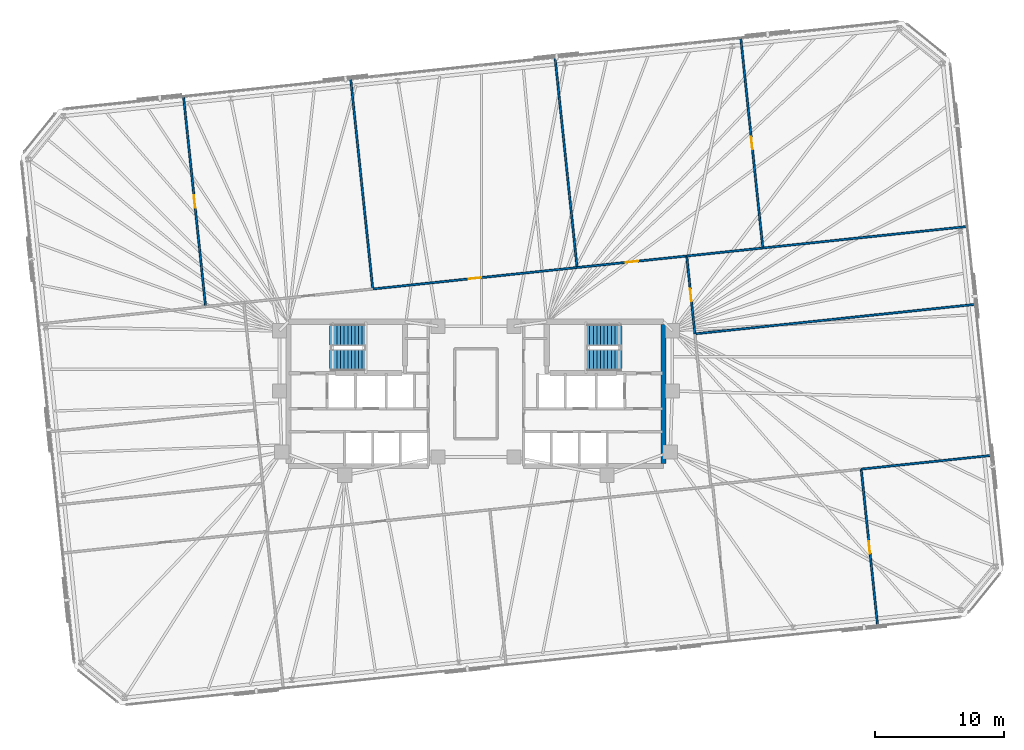
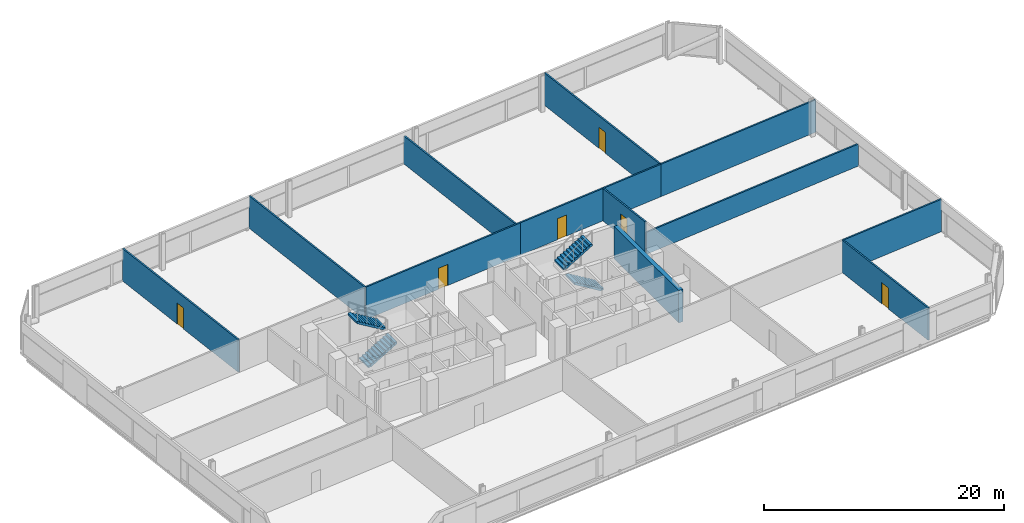
# One storey, part 16 of 18: 13 walls, 6 doors, 4 stair flights, 6 openings, 2 elements without a shape of their own.
"""IFC4 building model written with IfcOpenShell, lengths in metres."""

from ifc_helpers import new_model, si_unit, direction, frame, frame_2d, origin, place, context, subcontext, project, spatial, polyline, rectangle, outline, extrude, material, layer, layer_set, type_object, element, fill, aggregate, save


model = new_model("IFC4")

# Units and contexts
model_context = context("Model", 3, precision=1e-05, world=origin(), true_north=direction((0.0, 1.0)))
body_context = subcontext(model_context, "Body", "Model", "MODEL_VIEW")
ifc_project = project(units=[si_unit("LENGTHUNIT", "METRE"), si_unit("AREAUNIT", "SQUARE_METRE"), si_unit("VOLUMEUNIT", "CUBIC_METRE"), si_unit("PLANEANGLEUNIT", "RADIAN"), si_unit("MASSUNIT", "GRAM", prefix="KILO")], contexts=[model_context])

# Site, building, storey
site_placement = place(None, origin())
site = spatial("IfcSite", under=ifc_project, at=site_placement, CompositionType="ELEMENT")
building_placement = place(site_placement, origin())
building = spatial("IfcBuilding", under=site, at=building_placement, Name="Menara Jurai Vektor", CompositionType="ELEMENT")
storey_placement = place(building_placement, frame((0.0, 0.0, 139.199951171875)))
storey = spatial("IfcBuildingStorey", under=building, at=storey_placement, Name="L35", CompositionType="ELEMENT", Elevation=139.199951171875)

# Wall, opening, door
ifc_material_1 = material(Name="Gypsum Fireboard Partition", Category="gypsum")
ifc_layer_1 = layer(ifc_material_1, 0.14990234375)
ifc_layer_set_1 = layer_set([ifc_layer_1], Name="Gypsum Fireboard Partition")
wall_type_1 = type_object("IfcWallType", Name="INT-WALL-CORR-150", PredefinedType="PARTITIONING", material=ifc_layer_set_1)
wall_1_placement = place(storey_placement, frame((-8.009521484375, 8.142578125, 0.0), z_axis=(0.0, 0.0, 1.0), x_axis=(0.994521795881, 0.104529409818, 0.0)))
wall_1 = element("IfcWall", 1, at=wall_1_placement, inside=storey, type_object=wall_type_1, Name="Interior Wall IW-150 L35", PredefinedType="PARTITIONING", context=body_context, shape_type="SweptSolid", body=[
    extrude(rectangle(XDim=15.949951171875, YDim=0.14990234375, at=frame_2d((7.97509765625, 0.0))), origin(), (0.0, 0.0, 1.0), 3.300048828125),
])
opening_1_placement = place(wall_1_placement, frame((7.5, 0.0, 0.0)))
opening_1 = element("IfcOpeningElement", 2, at=opening_1_placement, cuts=wall_1, Name="Opening D35-08", PredefinedType="OPENING", context=body_context, shape_type="SweptSolid", body=[
    extrude(rectangle(XDim=0.949951171875, YDim=2.14990234375, at=frame_2d((0.47509765625, 1.074951171875))), frame((0.0, 0.0849609375, 0.0), z_axis=(0.0, -1.0, 0.0), x_axis=(1.0, 0.0, 0.0)), (0.0, 0.0, 1.0), 0.169921875),
])
ifc_material_2 = material(Name="Solid Core Timber Fire Door", Category="wood")
door_type = type_object("IfcDoorType", Name="DR-ENTRY-950", OperationType="NOTDEFINED", PredefinedType="DOOR", material=ifc_material_2)
door_1_placement = place(opening_1_placement, origin())
door_1 = element("IfcDoor", 3, at=door_1_placement, inside=storey, type_object=door_type, Name="Interior Door D35-08", OperationType="SINGLE_SWING_LEFT", OverallHeight=2.14990234375, OverallWidth=0.949951171875, PredefinedType="DOOR", context=body_context, shape_type="SweptSolid", body=[
    extrude(rectangle(XDim=0.949951171875, YDim=2.14990234375, at=frame_2d((0.47509765625, 1.074951171875))), frame((0.0, 0.02490234375, 0.0), z_axis=(0.0, -1.0, 0.0), x_axis=(1.0, 0.0, 0.0)), (0.0, 0.0, 1.0), 0.050048828125),
])
fill(opening_1, door_1)

wall_2_placement = place(storey_placement, frame((7.85302734375, 9.809814453125, 0.0), z_axis=(0.0, 0.0, 1.0), x_axis=(0.994524040814, 0.104508048698, 0.0)))
wall_2 = element("IfcWall", 4, at=wall_2_placement, inside=storey, type_object=wall_type_1, Name="Interior Wall IW-150 L35", PredefinedType="PARTITIONING", context=body_context, shape_type="SweptSolid", body=[
    extrude(rectangle(XDim=8.55712890625, YDim=0.14990234375, at=frame_2d((4.278564453125, 0.0))), origin(), (0.0, 0.0, 1.0), 3.300048828125),
])
opening_2_placement = place(wall_2_placement, frame((3.803466796875, 0.0, 0.0)))
opening_2 = element("IfcOpeningElement", 5, at=opening_2_placement, cuts=wall_2, Name="Opening D35-09", PredefinedType="OPENING", context=body_context, shape_type="SweptSolid", body=[
    extrude(rectangle(XDim=0.949951171875, YDim=2.14990234375, at=frame_2d((0.47509765625, 1.074951171875))), frame((0.0, 0.0849609375, 0.0), z_axis=(0.0, -1.0, 0.0), x_axis=(1.0, 0.0, 0.0)), (0.0, 0.0, 1.0), 0.169921875),
])
door_2_placement = place(opening_2_placement, origin())
door_2 = element("IfcDoor", 6, at=door_2_placement, inside=storey, type_object=door_type, Name="Interior Door D35-09", OperationType="SINGLE_SWING_RIGHT", OverallHeight=2.14990234375, OverallWidth=0.949951171875, PredefinedType="DOOR", context=body_context, shape_type="SweptSolid", body=[
    extrude(rectangle(XDim=0.949951171875, YDim=2.14990234375, at=frame_2d((0.47509765625, 1.074951171875))), frame((0.0, 0.02490234375, 0.0), z_axis=(0.0, -1.0, 0.0), x_axis=(1.0, 0.0, 0.0)), (0.0, 0.0, 1.0), 0.050048828125),
])
fill(opening_2, door_2)

wall_3_placement = place(storey_placement, frame((16.998291015625, 4.66162109375, 0.0), z_axis=(0.0, 0.0, 1.0), x_axis=(-0.104515354875, 0.994523273029, 0.0)))
wall_3 = element("IfcWall", 7, at=wall_3_placement, inside=storey, type_object=wall_type_1, Name="Interior Wall IW-150 L35", PredefinedType="PARTITIONING", context=body_context, shape_type="SweptSolid", body=[
    extrude(rectangle(XDim=6.07568359375, YDim=0.14990234375, at=frame_2d((3.037841796875, 0.0))), origin(), (0.0, 0.0, 1.0), 3.300048828125),
])
opening_3_placement = place(wall_3_placement, frame((2.56298828125, 0.0, 0.0)))
opening_3 = element("IfcOpeningElement", 8, at=opening_3_placement, cuts=wall_3, Name="Opening D35-16", PredefinedType="OPENING", context=body_context, shape_type="SweptSolid", body=[
    extrude(rectangle(XDim=0.949951171875, YDim=2.14990234375, at=frame_2d((0.47509765625, 1.074951171875))), frame((0.0, 0.0849609375, 0.0), z_axis=(0.0, -1.0, 0.0), x_axis=(1.0, 0.0, 0.0)), (0.0, 0.0, 1.0), 0.169921875),
])
door_3_placement = place(opening_3_placement, origin())
door_3 = element("IfcDoor", 9, at=door_3_placement, inside=storey, type_object=door_type, Name="Interior Door D35-16", OperationType="SINGLE_SWING_LEFT", OverallHeight=2.14990234375, OverallWidth=0.949951171875, PredefinedType="DOOR", context=body_context, shape_type="SweptSolid", body=[
    extrude(rectangle(XDim=0.949951171875, YDim=2.14990234375, at=frame_2d((0.47509765625, 1.074951171875))), frame((0.0, 0.02490234375, 0.0), z_axis=(0.0, -1.0, 0.0), x_axis=(1.0, 0.0, 0.0)), (0.0, 0.0, 1.0), 0.050048828125),
])
fill(opening_3, door_3)

wall_4_placement = place(storey_placement, frame((-20.988037109375, 6.778564453125, 0.0), z_axis=(0.0, 0.0, 1.0), x_axis=(-0.104521364336, 0.99452264147, 0.0)))
wall_4 = element("IfcWall", 10, at=wall_4_placement, inside=storey, type_object=wall_type_1, Name="Interior Wall IW-150 L35", PredefinedType="PARTITIONING", context=body_context, shape_type="SweptSolid", body=[
    extrude(rectangle(XDim=16.408935546875, YDim=0.14990234375, at=frame_2d((8.20458984375, 0.0))), origin(), (0.0, 0.0, 1.0), 3.300048828125),
])
opening_4_placement = place(wall_4_placement, frame((7.7294921875, 0.0, 0.0)))
opening_4 = element("IfcOpeningElement", 11, at=opening_4_placement, cuts=wall_4, Name="Opening D35-17", PredefinedType="OPENING", context=body_context, shape_type="SweptSolid", body=[
    extrude(rectangle(XDim=0.949951171875, YDim=2.14990234375, at=frame_2d((0.47509765625, 1.074951171875))), frame((0.0, 0.0849609375, 0.0), z_axis=(0.0, -1.0, 0.0), x_axis=(1.0, 0.0, 0.0)), (0.0, 0.0, 1.0), 0.169921875),
])
door_4_placement = place(opening_4_placement, origin())
door_4 = element("IfcDoor", 12, at=door_4_placement, inside=storey, type_object=door_type, Name="Interior Door D35-17", OperationType="SINGLE_SWING_RIGHT", OverallHeight=2.14990234375, OverallWidth=0.949951171875, PredefinedType="DOOR", context=body_context, shape_type="SweptSolid", body=[
    extrude(rectangle(XDim=0.949951171875, YDim=2.14990234375, at=frame_2d((0.47509765625, 1.074951171875))), frame((0.0, 0.02490234375, 0.0), z_axis=(0.0, -1.0, 0.0), x_axis=(1.0, 0.0, 0.0)), (0.0, 0.0, 1.0), 0.050048828125),
])
fill(opening_4, door_4)

# Wall
wall_5_placement = place(storey_placement, frame((-8.009521484375, 8.142578125, 0.0), z_axis=(0.0, 0.0, 1.0), x_axis=(-0.104521364336, 0.99452264147, 0.0)))
element("IfcWall", 13, at=wall_5_placement, inside=storey, type_object=wall_type_1, Name="Interior Wall IW-150 L35", PredefinedType="PARTITIONING", context=body_context, shape_type="SweptSolid", body=[
    extrude(rectangle(XDim=16.408935546875, YDim=0.14990234375, at=frame_2d((8.20458984375, 0.0))), origin(), (0.0, 0.0, 1.0), 3.300048828125),
])

# Wall, opening, door
wall_6_placement = place(storey_placement, frame((22.273681640625, 11.325439453125, 0.0), z_axis=(0.0, 0.0, 1.0), x_axis=(-0.104521364336, 0.99452264147, 0.0)))
wall_6 = element("IfcWall", 14, at=wall_6_placement, inside=storey, type_object=wall_type_1, Name="Interior Wall IW-150 L35", PredefinedType="PARTITIONING", context=body_context, shape_type="SweptSolid", body=[
    extrude(rectangle(XDim=16.408935546875, YDim=0.14990234375, at=frame_2d((8.20458984375, 0.0))), origin(), (0.0, 0.0, 1.0), 3.300048828125),
])
opening_5_placement = place(wall_6_placement, frame((7.7294921875, 0.0, 0.0)))
opening_5 = element("IfcOpeningElement", 15, at=opening_5_placement, cuts=wall_6, Name="Opening D35-18", PredefinedType="OPENING", context=body_context, shape_type="SweptSolid", body=[
    extrude(rectangle(XDim=0.949951171875, YDim=2.14990234375, at=frame_2d((0.47509765625, 1.074951171875))), frame((0.0, 0.0849609375, 0.0), z_axis=(0.0, -1.0, 0.0), x_axis=(1.0, 0.0, 0.0)), (0.0, 0.0, 1.0), 0.169921875),
])
door_5_placement = place(opening_5_placement, origin())
door_5 = element("IfcDoor", 16, at=door_5_placement, inside=storey, type_object=door_type, Name="Interior Door D35-18", OperationType="SINGLE_SWING_LEFT", OverallHeight=2.14990234375, OverallWidth=0.949951171875, PredefinedType="DOOR", context=body_context, shape_type="SweptSolid", body=[
    extrude(rectangle(XDim=0.949951171875, YDim=2.14990234375, at=frame_2d((0.47509765625, 1.074951171875))), frame((0.0, 0.02490234375, 0.0), z_axis=(0.0, -1.0, 0.0), x_axis=(1.0, 0.0, 0.0)), (0.0, 0.0, 1.0), 0.050048828125),
])
fill(opening_5, door_5)

# Walls
wall_7_placement = place(storey_placement, frame((16.36328125, 10.7041015625, 0.0), z_axis=(0.0, 0.0, 1.0), x_axis=(0.994519625036, 0.104550061783, 0.0)))
element("IfcWall", 17, at=wall_7_placement, inside=storey, type_object=wall_type_1, Name="Interior Wall IW-150 L35", PredefinedType="PARTITIONING", context=body_context, shape_type="SweptSolid", body=[
    extrude(rectangle(XDim=5.94287109375, YDim=0.14990234375, at=frame_2d((2.971435546875, 0.0))), origin(), (0.0, 0.0, 1.0), 3.300048828125),
])
wall_8_placement = place(storey_placement, frame((22.273681640625, 11.325439453125, 0.0), z_axis=(0.0, 0.0, 1.0), x_axis=(0.994521795881, 0.104529409818, 0.0)))
element("IfcWall", 18, at=wall_8_placement, inside=storey, type_object=wall_type_1, Name="Interior Wall IW-150 L35", PredefinedType="PARTITIONING", context=body_context, shape_type="SweptSolid", body=[
    extrude(rectangle(XDim=15.949951171875, YDim=0.14990234375, at=frame_2d((7.97509765625, 0.0))), origin(), (0.0, 0.0, 1.0), 3.300048828125),
])

# Wall, opening, door
wall_9_placement = place(storey_placement, frame((31.187255859375, -17.994384765625, 0.0), z_axis=(0.0, 0.0, 1.0), x_axis=(-0.104520477826, 0.99452273464, 0.0)))
wall_9 = element("IfcWall", 19, at=wall_9_placement, inside=storey, type_object=wall_type_1, Name="Interior Wall IW-150 L35", PredefinedType="PARTITIONING", context=body_context, shape_type="SweptSolid", body=[
    extrude(rectangle(XDim=12.220947265625, YDim=0.14990234375, at=frame_2d((6.1103515625, 0.0))), origin(), (0.0, 0.0, 1.0), 3.300048828125),
])
opening_6_placement = place(wall_9_placement, frame((5.635498046875, 0.0, 0.0)))
opening_6 = element("IfcOpeningElement", 20, at=opening_6_placement, cuts=wall_9, Name="Opening D35-21", PredefinedType="OPENING", context=body_context, shape_type="SweptSolid", body=[
    extrude(rectangle(XDim=0.949951171875, YDim=2.14990234375, at=frame_2d((0.47509765625, 1.074951171875))), frame((0.0, 0.0849609375, 0.0), z_axis=(0.0, -1.0, 0.0), x_axis=(1.0, 0.0, 0.0)), (0.0, 0.0, 1.0), 0.169921875),
])
door_6_placement = place(opening_6_placement, origin())
door_6 = element("IfcDoor", 21, at=door_6_placement, inside=storey, type_object=door_type, Name="Interior Door D35-21", OperationType="SINGLE_SWING_RIGHT", OverallHeight=2.14990234375, OverallWidth=0.949951171875, PredefinedType="DOOR", context=body_context, shape_type="SweptSolid", body=[
    extrude(rectangle(XDim=0.949951171875, YDim=2.14990234375, at=frame_2d((0.47509765625, 1.074951171875))), frame((0.0, 0.02490234375, 0.0), z_axis=(0.0, -1.0, 0.0), x_axis=(1.0, 0.0, 0.0)), (0.0, 0.0, 1.0), 0.050048828125),
])
fill(opening_6, door_6)

# Walls
wall_10_placement = place(storey_placement, frame((29.909912109375, -5.84033203125, 0.0), z_axis=(0.0, 0.0, 1.0), x_axis=(0.994521257273, 0.104534534165, 0.0)))
element("IfcWall", 22, at=wall_10_placement, inside=storey, type_object=wall_type_1, Name="Interior Wall IW-150 L35", PredefinedType="PARTITIONING", context=body_context, shape_type="SweptSolid", body=[
    extrude(rectangle(XDim=10.150146484375, YDim=0.14990234375, at=frame_2d((5.0751953125, 0.0))), origin(), (0.0, 0.0, 1.0), 3.300048828125),
])
ifc_layer_2 = layer(ifc_material_1, 0.14990234375)
ifc_layer_set_2 = layer_set([ifc_layer_2], Name="Gypsum Fireboard Partition")
wall_type_2 = type_object("IfcWallType", Name="INT-WALL-CORR-150-H1", PredefinedType="PARTITIONING", material=ifc_layer_set_2)
wall_11_placement = place(storey_placement, frame((7.85302734375, 9.809814453125, 0.0), z_axis=(0.0, 0.0, 1.0), x_axis=(-0.104521364336, 0.99452264147, 0.0)))
element("IfcWall", 23, at=wall_11_placement, inside=storey, type_object=wall_type_2, Name="Interior Wall IW-150 L35", PredefinedType="PARTITIONING", context=body_context, shape_type="SweptSolid", body=[
    extrude(rectangle(XDim=16.408935546875, YDim=0.14990234375, at=frame_2d((8.20458984375, 0.0))), origin(), (0.0, 0.0, 1.0), 2.85009765625),
])
ifc_layer_3 = layer(ifc_material_1, 0.14990234375)
ifc_layer_set_3 = layer_set([ifc_layer_3], Name="Gypsum Fireboard Partition")
wall_type_3 = type_object("IfcWallType", Name="INT-WALL-CORR-150-H4", PredefinedType="PARTITIONING", material=ifc_layer_set_3)
wall_12_placement = place(storey_placement, frame((16.998291015625, 4.66162109375, 0.0), z_axis=(0.0, 0.0, 1.0), x_axis=(0.994522487751, 0.10452282697, 0.0)))
element("IfcWall", 24, at=wall_12_placement, inside=storey, type_object=wall_type_3, Name="Interior Wall IW-150 L35", PredefinedType="PARTITIONING", context=body_context, shape_type="SweptSolid", body=[
    extrude(rectangle(XDim=21.89306640625, YDim=0.14990234375, at=frame_2d((10.946533203125, 0.0))), origin(), (0.0, 0.0, 1.0), 2.239990234375),
])
ifc_material_3 = material(Name="Concrete C50/60", Category="concrete")
ifc_layer_4 = layer(ifc_material_3, 0.39990234375)
ifc_layer_set_4 = layer_set([ifc_layer_4], Name="Concrete C50/60")
wall_type_4 = type_object("IfcWallType", Name="STR-WALL-CORE400", PredefinedType="SHEAR", material=ifc_layer_set_4)
wall_13_placement = place(storey_placement, frame((14.56005859375, -5.39990234375, 0.0), z_axis=(0.0, 0.0, 1.0), x_axis=(0.0, 1.0, 0.0)))
element("IfcWall", 25, at=wall_13_placement, inside=storey, type_object=wall_type_4, Name="Core Shear Wall CW-E-E L35", PredefinedType="SHEAR", context=body_context, shape_type="SweptSolid", body=[
    extrude(rectangle(XDim=10.7998046875, YDim=0.39990234375, at=frame_2d((5.39990234375, 0.0))), origin(), (0.0, 0.0, 1.0), 3.300048828125),
])

# Stair, stair flights
ifc_material_4 = material(Name="Concrete C40/50", Category="concrete")
stair_type = type_object("IfcStairType", Name="STAIR-DOGLEG-1500", PredefinedType="HALF_TURN_STAIR", material=ifc_material_4)
stair_1_placement = place(storey_placement, origin())
stair_1 = element("IfcStair", 26, at=stair_1_placement, inside=storey, type_object=stair_type, Name="Protected Exit Stair ST1 L35", PredefinedType="HALF_TURN_STAIR")
stair_flight_type = type_object("IfcStairFlightType", Name="STAIR-FLIGHT-1500", PredefinedType="STRAIGHT", material=ifc_material_4)
stair_flight_1_placement = place(storey_placement, frame((-11.35009765625, 2.64990234375, 0.0), z_axis=(0.0, 0.0, 1.0), x_axis=(1.0, 0.0, 0.0)))
stair_flight_1 = element("IfcStairFlight", 27, at=stair_flight_1_placement, type_object=stair_flight_type, Name="ST1 flight 1", NumberOfRisers=11, NumberOfTreads=10, PredefinedType="STRAIGHT", RiserHeight=0.168182, TreadLength=0.28, context=body_context, shape_type="SweptSolid", body=[
    extrude(outline(polyline([(0.0, 0.0), (0.0, 0.168212890625), (0.280029296875, 0.168212890625), (0.280029296875, 0.33642578125), (0.56005859375, 0.33642578125), (0.56005859375, 0.504638671875), (0.840087890625, 0.504638671875), (0.840087890625, 0.672607421875), (1.1201171875, 0.672607421875), (1.1201171875, 0.8408203125), (1.39990234375, 0.8408203125), (1.39990234375, 1.009033203125), (1.679931640625, 1.009033203125), (1.679931640625, 1.17724609375), (1.9599609375, 1.17724609375), (1.9599609375, 1.345458984375), (2.239990234375, 1.345458984375), (2.239990234375, 1.513671875), (2.52001953125, 1.513671875), (2.52001953125, 1.681884765625), (2.800048828125, 1.681884765625), (2.800048828125, 1.85009765625), (2.800048828125, 1.495361328125), (0.310546875, 0.0), (0.0, 0.0)])), frame((0.0, 0.75, 0.0), z_axis=(0.0, -1.0, 0.0), x_axis=(1.0, 0.0, 0.0)), (0.0, 0.0, 1.0), 1.5),
])
stair_flight_2_placement = place(storey_placement, frame((-8.550048828125, 4.550048828125, 1.85009765625), z_axis=(0.0, 0.0, 1.0), x_axis=(-1.0, 0.0, 0.0)))
stair_flight_2 = element("IfcStairFlight", 28, at=stair_flight_2_placement, type_object=stair_flight_type, Name="ST1 flight 2", NumberOfRisers=11, NumberOfTreads=10, PredefinedType="STRAIGHT", RiserHeight=0.168182, TreadLength=0.28, context=body_context, shape_type="SweptSolid", body=[
    extrude(outline(polyline([(0.0, 0.0), (0.0, 0.168212890625), (0.280029296875, 0.168212890625), (0.280029296875, 0.33642578125), (0.56005859375, 0.33642578125), (0.56005859375, 0.504638671875), (0.840087890625, 0.504638671875), (0.840087890625, 0.672607421875), (1.1201171875, 0.672607421875), (1.1201171875, 0.8408203125), (1.39990234375, 0.8408203125), (1.39990234375, 1.009033203125), (1.679931640625, 1.009033203125), (1.679931640625, 1.17724609375), (1.9599609375, 1.17724609375), (1.9599609375, 1.345458984375), (2.239990234375, 1.345458984375), (2.239990234375, 1.513671875), (2.52001953125, 1.513671875), (2.52001953125, 1.681884765625), (2.800048828125, 1.681884765625), (2.800048828125, 1.85009765625), (2.800048828125, 1.495361328125), (0.310546875, 0.0), (0.0, 0.0)])), frame((0.0, 0.75, 0.0), z_axis=(0.0, -1.0, 0.0), x_axis=(1.0, 0.0, 0.0)), (0.0, 0.0, 1.0), 1.5),
])
aggregate(stair_1, [stair_flight_1, stair_flight_2])

stair_2_placement = place(storey_placement, origin())
stair_2 = element("IfcStair", 29, at=stair_2_placement, inside=storey, type_object=stair_type, Name="Protected Exit Stair ST2 L35", PredefinedType="HALF_TURN_STAIR")
stair_flight_3_placement = place(storey_placement, frame((11.35009765625, 2.64990234375, 0.0), z_axis=(0.0, 0.0, 1.0), x_axis=(-1.0, 0.0, 0.0)))
stair_flight_3 = element("IfcStairFlight", 30, at=stair_flight_3_placement, type_object=stair_flight_type, Name="ST2 flight 1", NumberOfRisers=11, NumberOfTreads=10, PredefinedType="STRAIGHT", RiserHeight=0.168182, TreadLength=0.28, context=body_context, shape_type="SweptSolid", body=[
    extrude(outline(polyline([(0.0, 0.0), (0.0, 0.168212890625), (0.280029296875, 0.168212890625), (0.280029296875, 0.33642578125), (0.56005859375, 0.33642578125), (0.56005859375, 0.504638671875), (0.840087890625, 0.504638671875), (0.840087890625, 0.672607421875), (1.1201171875, 0.672607421875), (1.1201171875, 0.8408203125), (1.39990234375, 0.8408203125), (1.39990234375, 1.009033203125), (1.679931640625, 1.009033203125), (1.679931640625, 1.17724609375), (1.9599609375, 1.17724609375), (1.9599609375, 1.345458984375), (2.239990234375, 1.345458984375), (2.239990234375, 1.513671875), (2.52001953125, 1.513671875), (2.52001953125, 1.681884765625), (2.800048828125, 1.681884765625), (2.800048828125, 1.85009765625), (2.800048828125, 1.495361328125), (0.310546875, 0.0), (0.0, 0.0)])), frame((0.0, 0.75, 0.0), z_axis=(0.0, -1.0, 0.0), x_axis=(1.0, 0.0, 0.0)), (0.0, 0.0, 1.0), 1.5),
])
stair_flight_4_placement = place(storey_placement, frame((8.550048828125, 4.550048828125, 1.85009765625), z_axis=(0.0, 0.0, 1.0), x_axis=(1.0, 0.0, 0.0)))
stair_flight_4 = element("IfcStairFlight", 31, at=stair_flight_4_placement, type_object=stair_flight_type, Name="ST2 flight 2", NumberOfRisers=11, NumberOfTreads=10, PredefinedType="STRAIGHT", RiserHeight=0.168182, TreadLength=0.28, context=body_context, shape_type="SweptSolid", body=[
    extrude(outline(polyline([(0.0, 0.0), (0.0, 0.168212890625), (0.280029296875, 0.168212890625), (0.280029296875, 0.33642578125), (0.56005859375, 0.33642578125), (0.56005859375, 0.504638671875), (0.840087890625, 0.504638671875), (0.840087890625, 0.672607421875), (1.1201171875, 0.672607421875), (1.1201171875, 0.8408203125), (1.39990234375, 0.8408203125), (1.39990234375, 1.009033203125), (1.679931640625, 1.009033203125), (1.679931640625, 1.17724609375), (1.9599609375, 1.17724609375), (1.9599609375, 1.345458984375), (2.239990234375, 1.345458984375), (2.239990234375, 1.513671875), (2.52001953125, 1.513671875), (2.52001953125, 1.681884765625), (2.800048828125, 1.681884765625), (2.800048828125, 1.85009765625), (2.800048828125, 1.495361328125), (0.310546875, 0.0), (0.0, 0.0)])), frame((0.0, 0.75, 0.0), z_axis=(0.0, -1.0, 0.0), x_axis=(1.0, 0.0, 0.0)), (0.0, 0.0, 1.0), 1.5),
])
aggregate(stair_2, [stair_flight_3, stair_flight_4])

save(model, "model.ifc")
